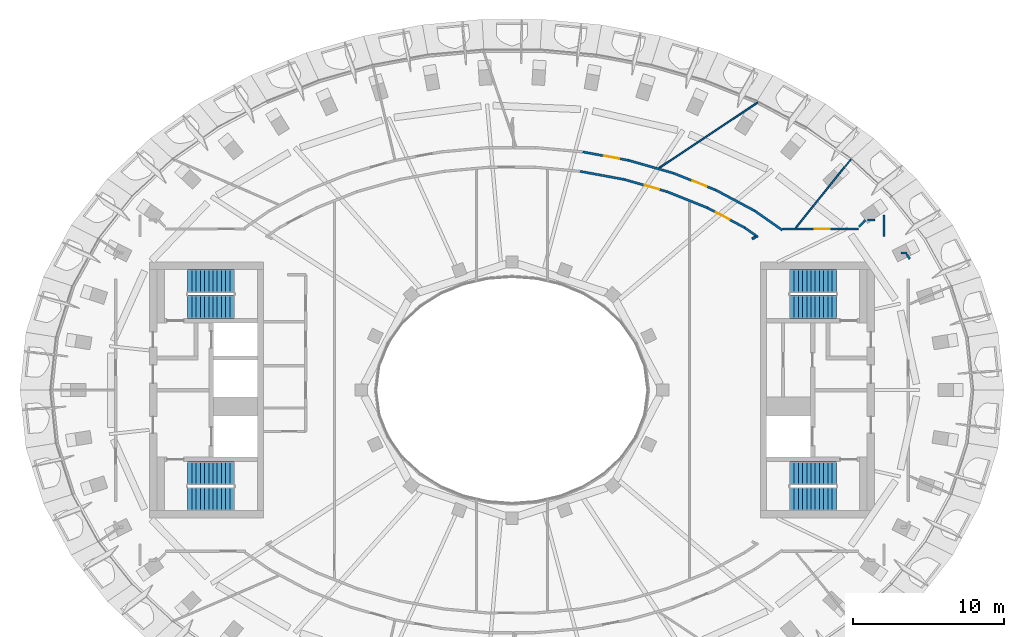
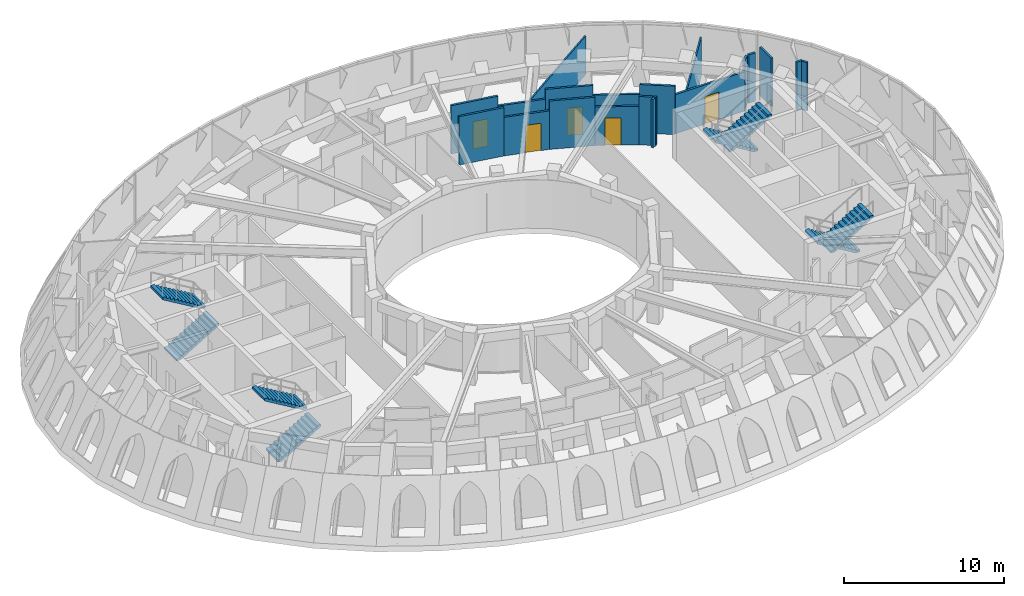
# One storey, part 6 of 13: 19 walls, 8 stair flights, 5 doors, 5 openings, 4 elements without a shape of their own.
"""IFC4 building model written with IfcOpenShell, lengths in metres."""

from ifc_helpers import new_model, si_unit, direction, frame, frame_2d, origin, place, context, subcontext, project, spatial, polyline, rectangle, outline, extrude, material, layer, layer_set, type_object, element, fill, aggregate, save


model = new_model("IFC4")

# Units and contexts
model_context = context("Model", 3, precision=1e-05, world=origin(), true_north=direction((0.0, 1.0)))
body_context = subcontext(model_context, "Body", "Model", "MODEL_VIEW")
ifc_project = project(units=[si_unit("LENGTHUNIT", "METRE"), si_unit("AREAUNIT", "SQUARE_METRE"), si_unit("VOLUMEUNIT", "CUBIC_METRE"), si_unit("PLANEANGLEUNIT", "RADIAN"), si_unit("MASSUNIT", "GRAM", prefix="KILO")], contexts=[model_context])

# Site, building, storey
site_placement = place(None, origin())
site = spatial("IfcSite", under=ifc_project, at=site_placement, CompositionType="ELEMENT")
building_placement = place(site_placement, origin())
building = spatial("IfcBuilding", under=site, at=building_placement, Name="Noorbagh Ring Tower", CompositionType="ELEMENT")
storey_placement = place(building_placement, frame((0.0, 0.0, 347.0)))
storey = spatial("IfcBuildingStorey", under=building, at=storey_placement, Name="L76", CompositionType="ELEMENT", Elevation=347.0)

# Wall
ifc_material_1 = material(Name="Gypsum board on steel studs", Category="steel")
ifc_layer_1 = layer(ifc_material_1, 0.14990234375)
ifc_layer_set_1 = layer_set([ifc_layer_1], Name="Gypsum board on steel studs")
wall_type_1 = type_object("IfcWallType", Name="CORRIDOR PARTITION 150 EI 30", PredefinedType="PARTITIONING", material=ifc_layer_set_1)
wall_1_placement = place(storey_placement, frame((4.52001953125, 14.52587890625, 0.0), z_axis=(0.0, 0.0, 1.0), x_axis=(0.983401893443, -0.181440667913, 0.0)))
element("IfcWall", 1, at=wall_1_placement, inside=storey, type_object=wall_type_1, Name="L76/wall/P74", PredefinedType="PARTITIONING", context=body_context, shape_type="SweptSolid", body=[
    extrude(rectangle(XDim=2.992431640625, YDim=0.14990234375, at=frame_2d((1.49609375, 0.0))), origin(), (0.0, 0.0, 1.0), 3.699951171875),
])

# Wall, opening, door
wall_2_placement = place(storey_placement, frame((4.697998046875, 15.81591796875, 0.0), z_axis=(0.0, 0.0, 1.0), x_axis=(0.983356767642, -0.181685077905, 0.0)))
wall_2 = element("IfcWall", 2, at=wall_2_placement, inside=storey, type_object=wall_type_1, Name="L76/wall/P76", PredefinedType="PARTITIONING", context=body_context, shape_type="SweptSolid", body=[
    extrude(rectangle(XDim=3.11474609375, YDim=0.14990234375, at=frame_2d((1.557373046875, 0.0))), origin(), (0.0, 0.0, 1.0), 3.699951171875),
])
opening_1_placement = place(wall_2_placement, frame((1.46484375, 0.0, 0.0)))
opening_1 = element("IfcOpeningElement", 3, at=opening_1_placement, cuts=wall_2, Name="Opening D1", PredefinedType="OPENING", context=body_context, shape_type="SweptSolid", body=[
    extrude(rectangle(XDim=1.0, YDim=2.10009765625, at=frame_2d((0.5, 1.050048828125))), frame((0.0, 0.0849609375, 0.0), z_axis=(0.0, -1.0, 0.0), x_axis=(1.0, 0.0, 0.0)), (0.0, 0.0, 1.0), 0.169921875),
])
ifc_material_2 = material(Name="Timber, painted", Category="wood")
door_type = type_object("IfcDoorType", Name="DOOR 1000 X 2100 FD30", OperationType="SINGLE_SWING_LEFT", PredefinedType="DOOR", material=ifc_material_2)
door_1_placement = place(opening_1_placement, origin())
door_1 = element("IfcDoor", 4, at=door_1_placement, inside=storey, type_object=door_type, Name="L76-D15", OperationType="SINGLE_SWING_LEFT", OverallHeight=2.10009765625, OverallWidth=1.0, PredefinedType="DOOR", context=body_context, shape_type="SweptSolid", body=[
    extrude(rectangle(XDim=1.0, YDim=2.10009765625, at=frame_2d((0.5, 1.050048828125))), frame((0.0, 0.02490234375, 0.0), z_axis=(0.0, -1.0, 0.0), x_axis=(1.0, 0.0, 0.0)), (0.0, 0.0, 1.0), 0.050048828125),
])
fill(opening_1, door_1)

wall_3_placement = place(storey_placement, frame((7.462890625, 13.98291015625, 0.0), z_axis=(0.0, 0.0, 1.0), x_axis=(0.961520822089, -0.274732067092, 0.0)))
wall_3 = element("IfcWall", 5, at=wall_3_placement, inside=storey, type_object=wall_type_1, Name="L76/wall/P78", PredefinedType="PARTITIONING", context=body_context, shape_type="SweptSolid", body=[
    extrude(rectangle(XDim=2.94775390625, YDim=0.14990234375, at=frame_2d((1.473876953125, 0.0))), origin(), (0.0, 0.0, 1.0), 2.949951171875),
])
opening_2_placement = place(wall_3_placement, frame((1.39990234375, 0.0, 0.0)))
opening_2 = element("IfcOpeningElement", 6, at=opening_2_placement, cuts=wall_3, Name="Opening D1", PredefinedType="OPENING", context=body_context, shape_type="SweptSolid", body=[
    extrude(rectangle(XDim=1.0, YDim=2.10009765625, at=frame_2d((0.5, 1.050048828125))), frame((0.0, 0.0849609375, 0.0), z_axis=(0.0, -1.0, 0.0), x_axis=(1.0, 0.0, 0.0)), (0.0, 0.0, 1.0), 0.169921875),
])
door_2_placement = place(opening_2_placement, origin())
door_2 = element("IfcDoor", 7, at=door_2_placement, inside=storey, type_object=door_type, Name="L76-D24", OperationType="SINGLE_SWING_RIGHT", OverallHeight=2.10009765625, OverallWidth=1.0, PredefinedType="DOOR", context=body_context, shape_type="SweptSolid", body=[
    extrude(rectangle(XDim=1.0, YDim=2.10009765625, at=frame_2d((0.5, 1.050048828125))), frame((0.0, 0.02490234375, 0.0), z_axis=(0.0, -1.0, 0.0), x_axis=(1.0, 0.0, 0.0)), (0.0, 0.0, 1.0), 0.050048828125),
])
fill(opening_2, door_2)

# Walls
wall_4_placement = place(storey_placement, frame((7.760986328125, 15.25, 0.0), z_axis=(0.0, 0.0, 1.0), x_axis=(0.961431034977, -0.275046114283, 0.0)))
element("IfcWall", 8, at=wall_4_placement, inside=storey, type_object=wall_type_1, Name="L76/wall/P80", PredefinedType="PARTITIONING", context=body_context, shape_type="SweptSolid", body=[
    extrude(rectangle(XDim=3.07568359375, YDim=0.14990234375, at=frame_2d((1.537841796875, 0.0))), origin(), (0.0, 0.0, 1.0), 2.949951171875),
])
wall_5_placement = place(storey_placement, frame((10.297119140625, 13.173095703125, 0.0), z_axis=(0.0, 0.0, 1.0), x_axis=(0.928576025609, -0.371142243168, 0.0)))
element("IfcWall", 9, at=wall_5_placement, inside=storey, type_object=wall_type_1, Name="L76/wall/P84", PredefinedType="PARTITIONING", context=body_context, shape_type="SweptSolid", body=[
    extrude(rectangle(XDim=2.880615234375, YDim=0.14990234375, at=frame_2d((1.4404296875, 0.0))), origin(), (0.0, 0.0, 1.0), 3.699951171875),
])

# Wall, opening, door
wall_6_placement = place(storey_placement, frame((10.718017578125, 14.404052734375, 0.0), z_axis=(0.0, 0.0, 1.0), x_axis=(0.928710811389, -0.370804839248, 0.0)))
wall_6 = element("IfcWall", 10, at=wall_6_placement, inside=storey, type_object=wall_type_1, Name="L76/wall/P86", PredefinedType="PARTITIONING", context=body_context, shape_type="SweptSolid", body=[
    extrude(rectangle(XDim=3.01806640625, YDim=0.14990234375, at=frame_2d((1.509033203125, 0.0))), origin(), (0.0, 0.0, 1.0), 3.699951171875),
])
opening_3_placement = place(wall_6_placement, frame((1.3681640625, 0.0, 0.0)))
opening_3 = element("IfcOpeningElement", 11, at=opening_3_placement, cuts=wall_6, Name="Opening D1", PredefinedType="OPENING", context=body_context, shape_type="SweptSolid", body=[
    extrude(rectangle(XDim=1.0, YDim=2.10009765625, at=frame_2d((0.5, 1.050048828125))), frame((0.0, 0.0849609375, 0.0), z_axis=(0.0, -1.0, 0.0), x_axis=(1.0, 0.0, 0.0)), (0.0, 0.0, 1.0), 0.169921875),
])
door_3_placement = place(opening_3_placement, origin())
door_3 = element("IfcDoor", 12, at=door_3_placement, inside=storey, type_object=door_type, Name="L76-D17", OperationType="SINGLE_SWING_LEFT", OverallHeight=2.10009765625, OverallWidth=1.0, PredefinedType="DOOR", context=body_context, shape_type="SweptSolid", body=[
    extrude(rectangle(XDim=1.0, YDim=2.10009765625, at=frame_2d((0.5, 1.050048828125))), frame((0.0, 0.02490234375, 0.0), z_axis=(0.0, -1.0, 0.0), x_axis=(1.0, 0.0, 0.0)), (0.0, 0.0, 1.0), 0.050048828125),
])
fill(opening_3, door_3)

wall_7_placement = place(storey_placement, frame((12.971923828125, 12.10400390625, 0.0), z_axis=(0.0, 0.0, 1.0), x_axis=(0.882445003112, -0.470415578487, 0.0)))
wall_7 = element("IfcWall", 13, at=wall_7_placement, inside=storey, type_object=wall_type_1, Name="L76/wall/P89", PredefinedType="PARTITIONING", context=body_context, shape_type="SweptSolid", body=[
    extrude(rectangle(XDim=2.7890625, YDim=0.14990234375, at=frame_2d((1.39453125, 0.0))), origin(), (0.0, 0.0, 1.0), 2.949951171875),
])
opening_4_placement = place(wall_7_placement, frame((0.64990234375, 0.0, 0.0)))
opening_4 = element("IfcOpeningElement", 14, at=opening_4_placement, cuts=wall_7, Name="Opening D1", PredefinedType="OPENING", context=body_context, shape_type="SweptSolid", body=[
    extrude(rectangle(XDim=1.0, YDim=2.10009765625, at=frame_2d((0.5, 1.050048828125))), frame((0.0, 0.0849609375, 0.0), z_axis=(0.0, -1.0, 0.0), x_axis=(1.0, 0.0, 0.0)), (0.0, 0.0, 1.0), 0.169921875),
])
door_4_placement = place(opening_4_placement, origin())
door_4 = element("IfcDoor", 15, at=door_4_placement, inside=storey, type_object=door_type, Name="L76-D25", OperationType="SINGLE_SWING_LEFT", OverallHeight=2.10009765625, OverallWidth=1.0, PredefinedType="DOOR", context=body_context, shape_type="SweptSolid", body=[
    extrude(rectangle(XDim=1.0, YDim=2.10009765625, at=frame_2d((0.5, 1.050048828125))), frame((0.0, 0.02490234375, 0.0), z_axis=(0.0, -1.0, 0.0), x_axis=(1.0, 0.0, 0.0)), (0.0, 0.0, 1.0), 0.050048828125),
])
fill(opening_4, door_4)

# Walls
wall_8_placement = place(storey_placement, frame((13.52099609375, 13.284912109375, 0.0), z_axis=(0.0, 0.0, 1.0), x_axis=(0.882371338396, -0.470553738883, 0.0)))
element("IfcWall", 16, at=wall_8_placement, inside=storey, type_object=wall_type_1, Name="L76/wall/P91", PredefinedType="PARTITIONING", context=body_context, shape_type="SweptSolid", body=[
    extrude(rectangle(XDim=2.938720703125, YDim=0.14990234375, at=frame_2d((1.46923828125, 0.0))), origin(), (0.0, 0.0, 1.0), 2.949951171875),
])
wall_9_placement = place(storey_placement, frame((15.43310546875, 10.7919921875, 0.0), z_axis=(0.0, 0.0, 1.0), x_axis=(0.819503988365, -0.573073479629, 0.0)))
element("IfcWall", 17, at=wall_9_placement, inside=storey, type_object=wall_type_1, Name="L76/wall/P93", PredefinedType="PARTITIONING", context=body_context, shape_type="SweptSolid", body=[
    extrude(rectangle(XDim=1.095703125, YDim=0.14990234375, at=frame_2d((0.5478515625, 0.0))), origin(), (0.0, 0.0, 1.0), 3.699951171875),
])
wall_10_placement = place(storey_placement, frame((15.94189453125, 10.053955078125, 0.0), z_axis=(0.0, 0.0, 1.0), x_axis=(0.895145027055, 0.445775033553, 0.0)))
element("IfcWall", 18, at=wall_10_placement, inside=storey, type_object=wall_type_1, Name="L76/wall/P95", PredefinedType="PARTITIONING", context=body_context, shape_type="SweptSolid", body=[
    extrude(rectangle(XDim=0.271728515625, YDim=0.14990234375, at=frame_2d((0.1357421875, 0.0))), origin(), (0.0, 0.0, 1.0), 3.699951171875),
])
wall_11_placement = place(storey_placement, frame((16.114013671875, 11.902099609375, 0.0), z_axis=(0.0, 0.0, 1.0), x_axis=(0.819309152621, -0.573351996971, 0.0)))
element("IfcWall", 19, at=wall_11_placement, inside=storey, type_object=wall_type_1, Name="L76/wall/P97", PredefinedType="PARTITIONING", context=body_context, shape_type="SweptSolid", body=[
    extrude(rectangle(XDim=2.2275390625, YDim=0.14990234375, at=frame_2d((1.11376953125, 0.0))), origin(), (0.0, 0.0, 1.0), 3.699951171875),
])

# Wall, opening, door
wall_12_placement = place(storey_placement, frame((17.962890625, 10.699951171875, 0.0), z_axis=(0.0, 0.0, 1.0), x_axis=(1.0, 0.0, 0.0)))
wall_12 = element("IfcWall", 20, at=wall_12_placement, inside=storey, type_object=wall_type_1, Name="L76/wall/P99", PredefinedType="PARTITIONING", context=body_context, shape_type="SweptSolid", body=[
    extrude(rectangle(XDim=5.030029296875, YDim=0.14990234375, at=frame_2d((2.51513671875, 0.0))), origin(), (0.0, 0.0, 1.0), 3.0),
])
opening_5_placement = place(wall_12_placement, frame((2.1298828125, 0.0, 0.0)))
opening_5 = element("IfcOpeningElement", 21, at=opening_5_placement, cuts=wall_12, Name="Opening D1", PredefinedType="OPENING", context=body_context, shape_type="SweptSolid", body=[
    extrude(rectangle(XDim=1.0, YDim=2.10009765625, at=frame_2d((0.5, 1.050048828125))), frame((0.0, 0.0849609375, 0.0), z_axis=(0.0, -1.0, 0.0), x_axis=(1.0, 0.0, 0.0)), (0.0, 0.0, 1.0), 0.169921875),
])
door_5_placement = place(opening_5_placement, origin())
door_5 = element("IfcDoor", 22, at=door_5_placement, inside=storey, type_object=door_type, Name="L76-D19", OperationType="SINGLE_SWING_RIGHT", OverallHeight=2.10009765625, OverallWidth=1.0, PredefinedType="DOOR", context=body_context, shape_type="SweptSolid", body=[
    extrude(rectangle(XDim=1.0, YDim=2.10009765625, at=frame_2d((0.5, 1.050048828125))), frame((0.0, 0.02490234375, 0.0), z_axis=(0.0, -1.0, 0.0), x_axis=(1.0, 0.0, 0.0)), (0.0, 0.0, 1.0), 0.050048828125),
])
fill(opening_5, door_5)

# Walls
wall_13_placement = place(storey_placement, frame((23.60693359375, 11.300048828125, 0.0), z_axis=(0.0, 0.0, 1.0), x_axis=(1.0, 0.0, 0.0)))
element("IfcWall", 23, at=wall_13_placement, inside=storey, type_object=wall_type_1, Name="L76/wall/P103", PredefinedType="PARTITIONING", context=body_context, shape_type="SweptSolid", body=[
    extrude(rectangle(XDim=0.4931640625, YDim=0.14990234375, at=frame_2d((0.24658203125, 0.0))), origin(), (0.0, 0.0, 1.0), 3.699951171875),
])
wall_14_placement = place(storey_placement, frame((24.699951171875, 10.20703125, 0.0), z_axis=(0.0, 0.0, 1.0), x_axis=(0.0, 1.0, 0.0)))
element("IfcWall", 24, at=wall_14_placement, inside=storey, type_object=wall_type_1, Name="L76/wall/P105", PredefinedType="PARTITIONING", context=body_context, shape_type="SweptSolid", body=[
    extrude(rectangle(XDim=1.428955078125, YDim=0.14990234375, at=frame_2d((0.71435546875, 0.0))), origin(), (0.0, 0.0, 1.0), 3.699951171875),
])
wall_15_placement = place(storey_placement, frame((25.806884765625, 9.10009765625, 0.0), z_axis=(0.0, 0.0, 1.0), x_axis=(1.0, 0.0, 0.0)))
element("IfcWall", 25, at=wall_15_placement, inside=storey, type_object=wall_type_1, Name="L76/wall/P107", PredefinedType="PARTITIONING", context=body_context, shape_type="SweptSolid", body=[
    extrude(rectangle(XDim=0.43115234375, YDim=0.14990234375, at=frame_2d((0.215576171875, 0.0))), origin(), (0.0, 0.0, 1.0), 3.699951171875),
])
wall_16_placement = place(storey_placement, frame((26.197998046875, 9.02490234375, 0.0), z_axis=(0.0, 0.0, 1.0), x_axis=(0.556482519592, -0.830859317447, 0.0)))
element("IfcWall", 26, at=wall_16_placement, inside=storey, type_object=wall_type_1, Name="L76/wall/P109", PredefinedType="PARTITIONING", context=body_context, shape_type="SweptSolid", body=[
    extrude(rectangle(XDim=0.379150390625, YDim=0.14990234375, at=frame_2d((0.189453125, 0.0))), origin(), (0.0, 0.0, 1.0), 3.699951171875),
])
wall_17_placement = place(storey_placement, frame((23.02587890625, 10.845947265625, 0.0), z_axis=(0.0, 0.0, 1.0), x_axis=(0.70551060944, 0.708699357957, 0.0)))
element("IfcWall", 27, at=wall_17_placement, inside=storey, type_object=wall_type_1, Name="L76/wall/P115", PredefinedType="PARTITIONING", context=body_context, shape_type="SweptSolid", body=[
    extrude(rectangle(XDim=0.612548828125, YDim=0.14990234375, at=frame_2d((0.30615234375, 0.0))), origin(), (0.0, 0.0, 1.0), 3.699951171875),
])
ifc_material_3 = material(Name="Gypsum board on steel studs", Category="steel")
ifc_layer_2 = layer(ifc_material_3, 0.10009765625)
ifc_layer_set_2 = layer_set([ifc_layer_2], Name="Gypsum board on steel studs")
wall_type_2 = type_object("IfcWallType", Name="PARTITION 100 GYPSUM", PredefinedType="PARTITIONING", material=ifc_layer_set_2)
wall_18_placement = place(storey_placement, frame((9.782958984375, 14.75, 0.0), z_axis=(0.0, 0.0, 1.0), x_axis=(0.832260803083, 0.554384303216, 0.0)))
element("IfcWall", 28, at=wall_18_placement, inside=storey, type_object=wall_type_2, Name="L76/wall/P82", PredefinedType="PARTITIONING", context=body_context, shape_type="SweptSolid", body=[
    extrude(rectangle(XDim=7.848388671875, YDim=0.10009765625, at=frame_2d((3.92431640625, 0.0))), origin(), (0.0, 0.0, 1.0), 2.949951171875),
])
wall_19_placement = place(storey_placement, frame((18.841064453125, 10.778076171875, 0.0), z_axis=(0.0, 0.0, 1.0), x_axis=(0.627259579643, 0.778810259143, 0.0)))
element("IfcWall", 29, at=wall_19_placement, inside=storey, type_object=wall_type_2, Name="L76/wall/P101", PredefinedType="PARTITIONING", context=body_context, shape_type="SweptSolid", body=[
    extrude(rectangle(XDim=5.8203125, YDim=0.10009765625, at=frame_2d((2.91015625, 0.0))), origin(), (0.0, 0.0, 1.0), 3.0),
])

# Stair, stair flights
ifc_material_4 = material(Name="Concrete C40/50", Category="concrete")
stair_type = type_object("IfcStairType", Name="CORE-STAIR", PredefinedType="HALF_TURN_STAIR", material=ifc_material_4)
stair_1_placement = place(storey_placement, origin())
stair_1 = element("IfcStair", 30, at=stair_1_placement, inside=storey, type_object=stair_type, Name="L76 Exit stair ST1", PredefinedType="HALF_TURN_STAIR")
ifc_material_5 = material(Name="Concrete C40/50", Category="concrete")
stair_flight_type = type_object("IfcStairFlightType", Name="CORE-STAIR-FLIGHT", PredefinedType="STRAIGHT", material=ifc_material_5)
stair_flight_1_placement = place(storey_placement, frame((-21.530029296875, 5.52490234375, 0.0), z_axis=(0.0, 0.0, 1.0), x_axis=(1.0, 0.0, 0.0)))
stair_flight_1 = element("IfcStairFlight", 31, at=stair_flight_1_placement, type_object=stair_flight_type, Name="ST1 flight 1", NumberOfRisers=12, NumberOfTreads=11, PredefinedType="STRAIGHT", RiserHeight=0.166666667, TreadLength=0.28, context=body_context, shape_type="SweptSolid", body=[
    extrude(outline(polyline([(0.0, 0.0), (0.0, 0.166748046875), (0.280029296875, 0.166748046875), (0.280029296875, 0.333251953125), (0.56005859375, 0.333251953125), (0.56005859375, 0.5), (0.840087890625, 0.5), (0.840087890625, 0.666748046875), (1.1201171875, 0.666748046875), (1.1201171875, 0.833251953125), (1.39990234375, 0.833251953125), (1.39990234375, 1.0), (1.679931640625, 1.0), (1.679931640625, 1.166748046875), (1.9599609375, 1.166748046875), (1.9599609375, 1.333251953125), (2.239990234375, 1.333251953125), (2.239990234375, 1.5), (2.52001953125, 1.5), (2.52001953125, 1.666748046875), (2.800048828125, 1.666748046875), (2.800048828125, 1.833251953125), (3.080078125, 1.833251953125), (3.080078125, 2.0), (3.080078125, 1.658935546875), (0.29296875, 0.0), (0.0, 0.0)])), frame((0.0, 0.77490234375, 0.0), z_axis=(0.0, -1.0, 0.0), x_axis=(1.0, 0.0, 0.0)), (0.0, 0.0, 1.0), 1.550048828125),
])
stair_flight_2_placement = place(storey_placement, frame((-18.449951171875, 7.22509765625, 2.0), z_axis=(0.0, 0.0, 1.0), x_axis=(-1.0, 0.0, 0.0)))
stair_flight_2 = element("IfcStairFlight", 32, at=stair_flight_2_placement, type_object=stair_flight_type, Name="ST1 flight 2", NumberOfRisers=12, NumberOfTreads=11, PredefinedType="STRAIGHT", RiserHeight=0.166666667, TreadLength=0.28, context=body_context, shape_type="SweptSolid", body=[
    extrude(outline(polyline([(0.0, 0.0), (0.0, 0.166748046875), (0.280029296875, 0.166748046875), (0.280029296875, 0.333251953125), (0.56005859375, 0.333251953125), (0.56005859375, 0.5), (0.840087890625, 0.5), (0.840087890625, 0.666748046875), (1.1201171875, 0.666748046875), (1.1201171875, 0.833251953125), (1.39990234375, 0.833251953125), (1.39990234375, 1.0), (1.679931640625, 1.0), (1.679931640625, 1.166748046875), (1.9599609375, 1.166748046875), (1.9599609375, 1.333251953125), (2.239990234375, 1.333251953125), (2.239990234375, 1.5), (2.52001953125, 1.5), (2.52001953125, 1.666748046875), (2.800048828125, 1.666748046875), (2.800048828125, 1.833251953125), (3.080078125, 1.833251953125), (3.080078125, 2.0), (3.080078125, 1.658935546875), (0.29296875, 0.0), (0.0, 0.0)])), frame((0.0, 0.77490234375, 0.0), z_axis=(0.0, -1.0, 0.0), x_axis=(1.0, 0.0, 0.0)), (0.0, 0.0, 1.0), 1.550048828125),
])
aggregate(stair_1, [stair_flight_1, stair_flight_2])

stair_2_placement = place(storey_placement, origin())
stair_2 = element("IfcStair", 33, at=stair_2_placement, inside=storey, type_object=stair_type, Name="L76 Exit stair ST2", PredefinedType="HALF_TURN_STAIR")
stair_flight_3_placement = place(storey_placement, frame((-21.530029296875, -7.22509765625, 0.0), z_axis=(0.0, 0.0, 1.0), x_axis=(1.0, 0.0, 0.0)))
stair_flight_3 = element("IfcStairFlight", 34, at=stair_flight_3_placement, type_object=stair_flight_type, Name="ST2 flight 1", NumberOfRisers=12, NumberOfTreads=11, PredefinedType="STRAIGHT", RiserHeight=0.166666667, TreadLength=0.28, context=body_context, shape_type="SweptSolid", body=[
    extrude(outline(polyline([(0.0, 0.0), (0.0, 0.166748046875), (0.280029296875, 0.166748046875), (0.280029296875, 0.333251953125), (0.56005859375, 0.333251953125), (0.56005859375, 0.5), (0.840087890625, 0.5), (0.840087890625, 0.666748046875), (1.1201171875, 0.666748046875), (1.1201171875, 0.833251953125), (1.39990234375, 0.833251953125), (1.39990234375, 1.0), (1.679931640625, 1.0), (1.679931640625, 1.166748046875), (1.9599609375, 1.166748046875), (1.9599609375, 1.333251953125), (2.239990234375, 1.333251953125), (2.239990234375, 1.5), (2.52001953125, 1.5), (2.52001953125, 1.666748046875), (2.800048828125, 1.666748046875), (2.800048828125, 1.833251953125), (3.080078125, 1.833251953125), (3.080078125, 2.0), (3.080078125, 1.658935546875), (0.29296875, 0.0), (0.0, 0.0)])), frame((0.0, 0.77490234375, 0.0), z_axis=(0.0, -1.0, 0.0), x_axis=(1.0, 0.0, 0.0)), (0.0, 0.0, 1.0), 1.550048828125),
])
stair_flight_4_placement = place(storey_placement, frame((-18.449951171875, -5.52490234375, 2.0), z_axis=(0.0, 0.0, 1.0), x_axis=(-1.0, 0.0, 0.0)))
stair_flight_4 = element("IfcStairFlight", 35, at=stair_flight_4_placement, type_object=stair_flight_type, Name="ST2 flight 2", NumberOfRisers=12, NumberOfTreads=11, PredefinedType="STRAIGHT", RiserHeight=0.166666667, TreadLength=0.28, context=body_context, shape_type="SweptSolid", body=[
    extrude(outline(polyline([(0.0, 0.0), (0.0, 0.166748046875), (0.280029296875, 0.166748046875), (0.280029296875, 0.333251953125), (0.56005859375, 0.333251953125), (0.56005859375, 0.5), (0.840087890625, 0.5), (0.840087890625, 0.666748046875), (1.1201171875, 0.666748046875), (1.1201171875, 0.833251953125), (1.39990234375, 0.833251953125), (1.39990234375, 1.0), (1.679931640625, 1.0), (1.679931640625, 1.166748046875), (1.9599609375, 1.166748046875), (1.9599609375, 1.333251953125), (2.239990234375, 1.333251953125), (2.239990234375, 1.5), (2.52001953125, 1.5), (2.52001953125, 1.666748046875), (2.800048828125, 1.666748046875), (2.800048828125, 1.833251953125), (3.080078125, 1.833251953125), (3.080078125, 2.0), (3.080078125, 1.658935546875), (0.29296875, 0.0), (0.0, 0.0)])), frame((0.0, 0.77490234375, 0.0), z_axis=(0.0, -1.0, 0.0), x_axis=(1.0, 0.0, 0.0)), (0.0, 0.0, 1.0), 1.550048828125),
])
aggregate(stair_2, [stair_flight_3, stair_flight_4])

stair_3_placement = place(storey_placement, origin())
stair_3 = element("IfcStair", 36, at=stair_3_placement, inside=storey, type_object=stair_type, Name="L76 Exit stair ST3", PredefinedType="HALF_TURN_STAIR")
stair_flight_5_placement = place(storey_placement, frame((21.530029296875, 7.22509765625, 0.0), z_axis=(0.0, 0.0, 1.0), x_axis=(-1.0, 0.0, 0.0)))
stair_flight_5 = element("IfcStairFlight", 37, at=stair_flight_5_placement, type_object=stair_flight_type, Name="ST3 flight 1", NumberOfRisers=12, NumberOfTreads=11, PredefinedType="STRAIGHT", RiserHeight=0.166666667, TreadLength=0.28, context=body_context, shape_type="SweptSolid", body=[
    extrude(outline(polyline([(0.0, 0.0), (0.0, 0.166748046875), (0.280029296875, 0.166748046875), (0.280029296875, 0.333251953125), (0.56005859375, 0.333251953125), (0.56005859375, 0.5), (0.840087890625, 0.5), (0.840087890625, 0.666748046875), (1.1201171875, 0.666748046875), (1.1201171875, 0.833251953125), (1.39990234375, 0.833251953125), (1.39990234375, 1.0), (1.679931640625, 1.0), (1.679931640625, 1.166748046875), (1.9599609375, 1.166748046875), (1.9599609375, 1.333251953125), (2.239990234375, 1.333251953125), (2.239990234375, 1.5), (2.52001953125, 1.5), (2.52001953125, 1.666748046875), (2.800048828125, 1.666748046875), (2.800048828125, 1.833251953125), (3.080078125, 1.833251953125), (3.080078125, 2.0), (3.080078125, 1.658935546875), (0.29296875, 0.0), (0.0, 0.0)])), frame((0.0, 0.77490234375, 0.0), z_axis=(0.0, -1.0, 0.0), x_axis=(1.0, 0.0, 0.0)), (0.0, 0.0, 1.0), 1.550048828125),
])
stair_flight_6_placement = place(storey_placement, frame((18.449951171875, 5.52490234375, 2.0), z_axis=(0.0, 0.0, 1.0), x_axis=(1.0, 0.0, 0.0)))
stair_flight_6 = element("IfcStairFlight", 38, at=stair_flight_6_placement, type_object=stair_flight_type, Name="ST3 flight 2", NumberOfRisers=12, NumberOfTreads=11, PredefinedType="STRAIGHT", RiserHeight=0.166666667, TreadLength=0.28, context=body_context, shape_type="SweptSolid", body=[
    extrude(outline(polyline([(0.0, 0.0), (0.0, 0.166748046875), (0.280029296875, 0.166748046875), (0.280029296875, 0.333251953125), (0.56005859375, 0.333251953125), (0.56005859375, 0.5), (0.840087890625, 0.5), (0.840087890625, 0.666748046875), (1.1201171875, 0.666748046875), (1.1201171875, 0.833251953125), (1.39990234375, 0.833251953125), (1.39990234375, 1.0), (1.679931640625, 1.0), (1.679931640625, 1.166748046875), (1.9599609375, 1.166748046875), (1.9599609375, 1.333251953125), (2.239990234375, 1.333251953125), (2.239990234375, 1.5), (2.52001953125, 1.5), (2.52001953125, 1.666748046875), (2.800048828125, 1.666748046875), (2.800048828125, 1.833251953125), (3.080078125, 1.833251953125), (3.080078125, 2.0), (3.080078125, 1.658935546875), (0.29296875, 0.0), (0.0, 0.0)])), frame((0.0, 0.77490234375, 0.0), z_axis=(0.0, -1.0, 0.0), x_axis=(1.0, 0.0, 0.0)), (0.0, 0.0, 1.0), 1.550048828125),
])
aggregate(stair_3, [stair_flight_5, stair_flight_6])

stair_4_placement = place(storey_placement, origin())
stair_4 = element("IfcStair", 39, at=stair_4_placement, inside=storey, type_object=stair_type, Name="L76 Exit stair ST4", PredefinedType="HALF_TURN_STAIR")
stair_flight_7_placement = place(storey_placement, frame((21.530029296875, -5.52490234375, 0.0), z_axis=(0.0, 0.0, 1.0), x_axis=(-1.0, 0.0, 0.0)))
stair_flight_7 = element("IfcStairFlight", 40, at=stair_flight_7_placement, type_object=stair_flight_type, Name="ST4 flight 1", NumberOfRisers=12, NumberOfTreads=11, PredefinedType="STRAIGHT", RiserHeight=0.166666667, TreadLength=0.28, context=body_context, shape_type="SweptSolid", body=[
    extrude(outline(polyline([(0.0, 0.0), (0.0, 0.166748046875), (0.280029296875, 0.166748046875), (0.280029296875, 0.333251953125), (0.56005859375, 0.333251953125), (0.56005859375, 0.5), (0.840087890625, 0.5), (0.840087890625, 0.666748046875), (1.1201171875, 0.666748046875), (1.1201171875, 0.833251953125), (1.39990234375, 0.833251953125), (1.39990234375, 1.0), (1.679931640625, 1.0), (1.679931640625, 1.166748046875), (1.9599609375, 1.166748046875), (1.9599609375, 1.333251953125), (2.239990234375, 1.333251953125), (2.239990234375, 1.5), (2.52001953125, 1.5), (2.52001953125, 1.666748046875), (2.800048828125, 1.666748046875), (2.800048828125, 1.833251953125), (3.080078125, 1.833251953125), (3.080078125, 2.0), (3.080078125, 1.658935546875), (0.29296875, 0.0), (0.0, 0.0)])), frame((0.0, 0.77490234375, 0.0), z_axis=(0.0, -1.0, 0.0), x_axis=(1.0, 0.0, 0.0)), (0.0, 0.0, 1.0), 1.550048828125),
])
stair_flight_8_placement = place(storey_placement, frame((18.449951171875, -7.22509765625, 2.0), z_axis=(0.0, 0.0, 1.0), x_axis=(1.0, 0.0, 0.0)))
stair_flight_8 = element("IfcStairFlight", 41, at=stair_flight_8_placement, type_object=stair_flight_type, Name="ST4 flight 2", NumberOfRisers=12, NumberOfTreads=11, PredefinedType="STRAIGHT", RiserHeight=0.166666667, TreadLength=0.28, context=body_context, shape_type="SweptSolid", body=[
    extrude(outline(polyline([(0.0, 0.0), (0.0, 0.166748046875), (0.280029296875, 0.166748046875), (0.280029296875, 0.333251953125), (0.56005859375, 0.333251953125), (0.56005859375, 0.5), (0.840087890625, 0.5), (0.840087890625, 0.666748046875), (1.1201171875, 0.666748046875), (1.1201171875, 0.833251953125), (1.39990234375, 0.833251953125), (1.39990234375, 1.0), (1.679931640625, 1.0), (1.679931640625, 1.166748046875), (1.9599609375, 1.166748046875), (1.9599609375, 1.333251953125), (2.239990234375, 1.333251953125), (2.239990234375, 1.5), (2.52001953125, 1.5), (2.52001953125, 1.666748046875), (2.800048828125, 1.666748046875), (2.800048828125, 1.833251953125), (3.080078125, 1.833251953125), (3.080078125, 2.0), (3.080078125, 1.658935546875), (0.29296875, 0.0), (0.0, 0.0)])), frame((0.0, 0.77490234375, 0.0), z_axis=(0.0, -1.0, 0.0), x_axis=(1.0, 0.0, 0.0)), (0.0, 0.0, 1.0), 1.550048828125),
])
aggregate(stair_4, [stair_flight_7, stair_flight_8])

save(model, "model.ifc")
